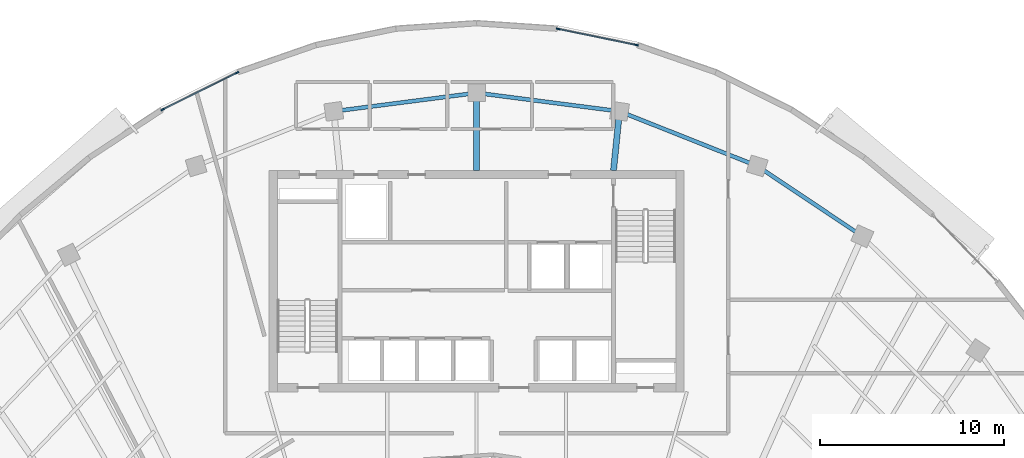
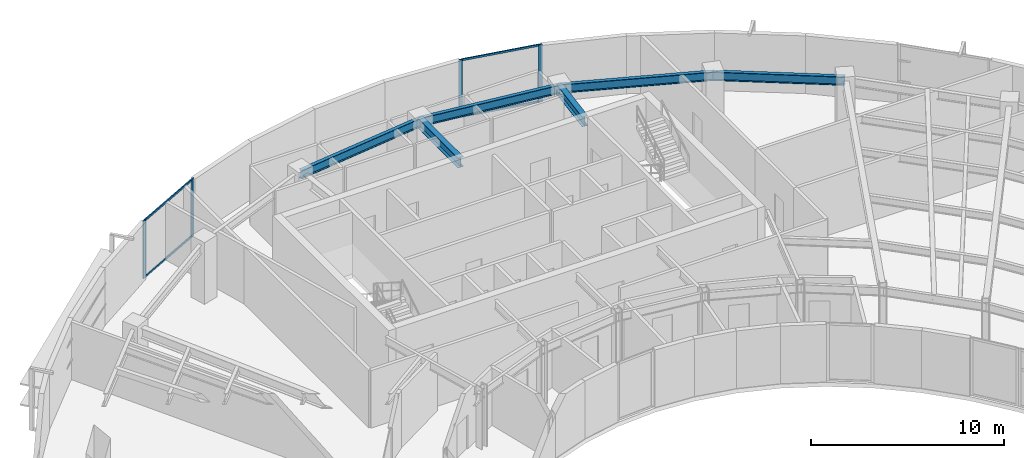
# One storey, part 5 of 13: 8 members, 6 beams, 2 elements without a shape of their own.
"""IFC4 building model written with IfcOpenShell, lengths in metres."""

from ifc_helpers import new_model, si_unit, direction, frame, origin, origin_2d, place, context, subcontext, project, spatial, rectangle, i_section, extrude, source, transform, mapped, material, layer, layer_set, material_profile, profile_set, type_object, element, aggregate, save


model = new_model("IFC4")

# Units and contexts
model_context = context("Model", 3, precision=1e-05, world=origin(), true_north=direction((0.0, 1.0)))
body_context = subcontext(model_context, "Body", "Model", "MODEL_VIEW")
ifc_project = project(units=[si_unit("LENGTHUNIT", "METRE"), si_unit("AREAUNIT", "SQUARE_METRE"), si_unit("VOLUMEUNIT", "CUBIC_METRE"), si_unit("PLANEANGLEUNIT", "RADIAN"), si_unit("MASSUNIT", "GRAM", prefix="KILO")], contexts=[model_context])

# Site, building, storey
site_placement = place(None, origin())
site = spatial("IfcSite", under=ifc_project, at=site_placement, CompositionType="ELEMENT")
building_placement = place(site_placement, origin())
building = spatial("IfcBuilding", under=site, at=building_placement, Name="Breltana Convention Tower", CompositionType="ELEMENT")
storey_placement = place(building_placement, frame((0.0, 0.0, 223.5)))
storey = spatial("IfcBuildingStorey", under=building, at=storey_placement, Name="L54", CompositionType="ELEMENT", Elevation=223.5)

# Beams
ifc_material_1 = material(Name="Steel ASTM A992 Grade 50", Category="steel")
ifc_material_profile_1 = material_profile(ifc_material_1, i_section(OverallWidth=0.326904296875, OverallDepth=0.6220703125, WebThickness=0.015380859375, FlangeThickness=0.0244140625, at=origin_2d()), Name="W24X131")
ifc_profile_set_1 = profile_set([ifc_material_profile_1], Name="Steel ASTM A992 Grade 50")
beam_type_1 = type_object("IfcBeamType", Name="BM-RG-W24X131", PredefinedType="USERDEFINED", material=ifc_profile_set_1)
shared_shape_1 = source(origin(), body_context, "Body", "SweptSolid", [
    extrude(i_section(OverallWidth=0.326904296875, OverallDepth=0.6220703125, WebThickness=0.015380859375, FlangeThickness=0.0244140625, at=origin_2d()), origin(), (0.0, 0.0, 1.0), 3.220947265625),
])
beam_1_placement = place(storey_placement, frame((55.419921875, 72.199951171875, 3.3291015625), z_axis=(0.101492254858, 0.994836329355, 0.0), x_axis=(-0.994836329355, 0.101492254858, 0.0)))
element("IfcBeam", 1, at=beam_1_placement, inside=storey, type_object=beam_type_1, Name="L54 North Core Radial Girder R07", ObjectType="GIRDER", PredefinedType="USERDEFINED", context=body_context, shape_type="MappedRepresentation", body=[
    mapped(shared_shape_1, transform((0.0, 0.0, 0.0), scale=1.0)),
])
shared_shape_2 = source(origin(), body_context, "Body", "SweptSolid", [
    extrude(i_section(OverallWidth=0.326904296875, OverallDepth=0.6220703125, WebThickness=0.015380859375, FlangeThickness=0.0244140625, at=origin_2d()), origin(), (0.0, 0.0, 1.0), 4.2041015625),
])
beam_2_placement = place(storey_placement, frame((48.0, 72.199951171875, 3.3291015625), z_axis=(0.0, 1.0, 0.0), x_axis=(-1.0, 0.0, 0.0)))
element("IfcBeam", 2, at=beam_2_placement, inside=storey, type_object=beam_type_1, Name="L54 North Core Radial Girder R06", ObjectType="GIRDER", PredefinedType="USERDEFINED", context=body_context, shape_type="MappedRepresentation", body=[
    mapped(shared_shape_2, transform((0.0, 0.0, 0.0), scale=1.0)),
])
ifc_material_profile_2 = material_profile(ifc_material_1, i_section(OverallWidth=0.214111328125, OverallDepth=0.549072265625, WebThickness=0.0146484375, FlangeThickness=0.023681640625, at=origin_2d()), Name="W21X93")
ifc_profile_set_2 = profile_set([ifc_material_profile_2], Name="Steel ASTM A992 Grade 50")
beam_type_2 = type_object("IfcBeamType", Name="BM-SP-W21X93", PredefinedType="SPANDREL", material=ifc_profile_set_2)
shared_shape_3 = source(origin(), body_context, "Body", "SweptSolid", [
    extrude(i_section(OverallWidth=0.214111328125, OverallDepth=0.549072265625, WebThickness=0.0146484375, FlangeThickness=0.023681640625, at=origin_2d()), origin(), (0.0, 0.0, 1.0), 8.028564453125),
])
beam_3_placement = place(storey_placement, frame((55.746826171875, 75.404296875, 3.365478515625), z_axis=(0.929459100394, -0.368925169507, 0.0), x_axis=(0.368925169507, 0.929459100394, 0.0)))
element("IfcBeam", 3, at=beam_3_placement, inside=storey, type_object=beam_type_2, Name="L54 Outer Spandrel Beam 07", PredefinedType="SPANDREL", context=body_context, shape_type="MappedRepresentation", body=[
    mapped(shared_shape_3, transform((0.0, 0.0, 0.0), scale=1.0)),
])
shared_shape_4 = source(origin(), body_context, "Body", "SweptSolid", [
    extrude(i_section(OverallWidth=0.214111328125, OverallDepth=0.549072265625, WebThickness=0.0146484375, FlangeThickness=0.023681640625, at=origin_2d()), origin(), (0.0, 0.0, 1.0), 7.81103515625),
])
for number, where, z_axis, x_axis, name in (
    (4, (40.253173828125, 75.404296875, 3.365478515625), (0.991775179127, 0.127992164083, 0.0), (-0.127992164083, 0.991775179127, 0.0), "L54 Outer Spandrel Beam 05"),
    (5, (48.0, 76.404052734375, 3.365478515625), (0.991775179127, -0.127992164083, 0.0), (0.127992164083, 0.991775179127, 0.0), "L54 Outer Spandrel Beam 06"),
):
    element("IfcBeam", number, at=place(storey_placement, frame(where, z_axis=z_axis, x_axis=x_axis)), inside=storey, type_object=beam_type_2, Name=name, PredefinedType="SPANDREL", context=body_context, shape_type="MappedRepresentation", body=[
        mapped(shared_shape_4, transform((0.0, 0.0, 0.0), scale=1.0)),
    ])
shared_shape_5 = source(origin(), body_context, "Body", "SweptSolid", [
    extrude(i_section(OverallWidth=0.214111328125, OverallDepth=0.549072265625, WebThickness=0.0146484375, FlangeThickness=0.023681640625, at=origin_2d()), origin(), (0.0, 0.0, 1.0), 6.856689453125),
])
beam_4_placement = place(storey_placement, frame((63.208984375, 72.4423828125, 3.365478515625), z_axis=(0.83150210718, -0.55552159792, 0.0), x_axis=(0.55552159792, 0.83150210718, 0.0)))
element("IfcBeam", 6, at=beam_4_placement, inside=storey, type_object=beam_type_2, Name="L54 Outer Spandrel Beam 08", PredefinedType="SPANDREL", context=body_context, shape_type="MappedRepresentation", body=[
    mapped(shared_shape_5, transform((0.0, 0.0, 0.0), scale=1.0)),
])

# Curtain wall, members
ifc_material_2 = material(Name="Aluminium Anodised Bronze Frame", Category="aluminium")
ifc_layer = layer(ifc_material_2, 0.219970703125, Name="Aluminium Anodised Bronze Frame")
ifc_layer_set = layer_set([ifc_layer], Name="Aluminium Anodised Bronze Frame")
curtain_wall_type = type_object("IfcCurtainWallType", Name="CW-SYS-4", PredefinedType="NOTDEFINED", material=ifc_layer_set)
curtain_wall_1_placement = place(storey_placement, origin())
curtain_wall_1 = element("IfcCurtainWall", 7, at=curtain_wall_1_placement, inside=storey, type_object=curtain_wall_type, Name="L54 outer double-skin inner glazing 2", PredefinedType="NOTDEFINED")
ifc_material_3 = material(Name="Aluminium Anodised Bronze", Category="aluminium")
ifc_material_profile_3 = material_profile(ifc_material_3, rectangle(XDim=0.080078125, YDim=0.199951171875, at=origin_2d()), Name="CWM-80X200")
ifc_profile_set_3 = profile_set([ifc_material_profile_3], Name="Aluminium Anodised Bronze")
member_type_1 = type_object("IfcMemberType", Name="CWM-200", PredefinedType="MULLION", material=ifc_profile_set_3)
shared_shape_6 = source(origin(), body_context, "Body", "SweptSolid", [
    extrude(rectangle(XDim=0.080078125, YDim=0.199951171875, at=origin_2d()), origin(), (0.0, 0.0, 1.0), 3.639892578125),
])
member_1_placement = place(storey_placement, frame((30.96923828125, 75.499267578125, 0.0), z_axis=(0.0, 0.0, 1.0), x_axis=(-0.444108875003, 0.895972827235, 0.0)))
member_1 = element("IfcMember", 8, at=member_1_placement, type_object=member_type_1, Name="CW-04 mullion 1", PredefinedType="MULLION", context=body_context, shape_type="MappedRepresentation", body=[
    mapped(shared_shape_6, transform((0.0, 0.0, 0.0), scale=1.0)),
])
member_2_placement = place(storey_placement, frame((35.0107421875, 77.50244140625, 0.0), z_axis=(0.0, 0.0, 1.0), x_axis=(-0.444108875003, 0.895972827235, 0.0)))
member_2 = element("IfcMember", 9, at=member_2_placement, type_object=member_type_1, Name="CW-04 mullion 2", PredefinedType="MULLION", context=body_context, shape_type="MappedRepresentation", body=[
    mapped(shared_shape_6, transform((0.0, 0.0, 0.0), scale=1.0)),
])

curtain_wall_2_placement = place(storey_placement, origin())
curtain_wall_2 = element("IfcCurtainWall", 10, at=curtain_wall_2_placement, inside=storey, type_object=curtain_wall_type, Name="L54 outer double-skin inner glazing 3", PredefinedType="NOTDEFINED")
member_3_placement = place(storey_placement, frame((52.415771484375, 79.87158203125, 0.0), z_axis=(0.0, 0.0, 1.0), x_axis=(0.200879604523, 0.979615937236, 0.0)))
member_3 = element("IfcMember", 11, at=member_3_placement, type_object=member_type_1, Name="CW-04 mullion 1", PredefinedType="MULLION", context=body_context, shape_type="MappedRepresentation", body=[
    mapped(shared_shape_6, transform((0.0, 0.0, 0.0), scale=1.0)),
])
member_4_placement = place(storey_placement, frame((56.669921875, 78.9990234375, 0.0), z_axis=(0.0, 0.0, 1.0), x_axis=(0.200879604523, 0.979615937236, 0.0)))
member_4 = element("IfcMember", 12, at=member_4_placement, type_object=member_type_1, Name="CW-04 mullion 2", PredefinedType="MULLION", context=body_context, shape_type="MappedRepresentation", body=[
    mapped(shared_shape_6, transform((0.0, 0.0, 0.0), scale=1.0)),
])
ifc_material_profile_4 = material_profile(ifc_material_3, rectangle(XDim=0.070068359375, YDim=0.1201171875, at=origin_2d()), Name="CWT-70X120")
ifc_profile_set_4 = profile_set([ifc_material_profile_4], Name="Aluminium Anodised Bronze")
member_type_2 = type_object("IfcMemberType", Name="CWT-120", PredefinedType="USERDEFINED", material=ifc_profile_set_4)
shared_shape_7 = source(origin(), body_context, "Body", "SweptSolid", [
    extrude(rectangle(XDim=0.070068359375, YDim=0.1201171875, at=origin_2d()), origin(), (0.0, 0.0, 1.0), 4.262451171875),
])
member_5_placement = place(storey_placement, frame((52.455078125, 79.863525390625, 0.034912109375), z_axis=(0.97960616963, -0.200927231659, 0.0), x_axis=(0.200927231659, 0.97960616963, 0.0)))
member_5 = element("IfcMember", 13, at=member_5_placement, type_object=member_type_2, Name="CW-04 transom 1.1", ObjectType="TRANSOM", PredefinedType="USERDEFINED", context=body_context, shape_type="MappedRepresentation", body=[
    mapped(shared_shape_7, transform((0.0, 0.0, 0.0), scale=1.0)),
])
member_6_placement = place(storey_placement, frame((52.455078125, 79.863525390625, 3.60498046875), z_axis=(0.97960616963, -0.200927231659, 0.0), x_axis=(0.200927231659, 0.97960616963, 0.0)))
member_6 = element("IfcMember", 14, at=member_6_placement, type_object=member_type_2, Name="CW-04 transom 1.2", ObjectType="TRANSOM", PredefinedType="USERDEFINED", context=body_context, shape_type="MappedRepresentation", body=[
    mapped(shared_shape_7, transform((0.0, 0.0, 0.0), scale=1.0)),
])
aggregate(curtain_wall_2, [member_3, member_4, member_5, member_6])

# Member
shared_shape_8 = source(origin(), body_context, "Body", "SweptSolid", [
    extrude(rectangle(XDim=0.070068359375, YDim=0.1201171875, at=origin_2d()), origin(), (0.0, 0.0, 1.0), 4.4306640625),
])
member_7_placement = place(storey_placement, frame((31.005126953125, 75.51708984375, 0.034912109375), z_axis=(0.895964734866, 0.444125200678, 0.0), x_axis=(-0.444125200678, 0.895964734866, 0.0)))
member_7 = element("IfcMember", 15, at=member_7_placement, type_object=member_type_2, Name="CW-04 transom 1.1", ObjectType="TRANSOM", PredefinedType="USERDEFINED", context=body_context, shape_type="MappedRepresentation", body=[
    mapped(shared_shape_8, transform((0.0, 0.0, 0.0), scale=1.0)),
])

member_8_placement = place(storey_placement, frame((31.005126953125, 75.51708984375, 3.60498046875), z_axis=(0.895964734866, 0.444125200678, 0.0), x_axis=(-0.444125200678, 0.895964734866, 0.0)))
member_8 = element("IfcMember", 16, at=member_8_placement, type_object=member_type_2, Name="CW-04 transom 1.2", ObjectType="TRANSOM", PredefinedType="USERDEFINED", context=body_context, shape_type="MappedRepresentation", body=[
    mapped(shared_shape_8, transform((0.0, 0.0, 0.0), scale=1.0)),
])

aggregate(curtain_wall_1, [member_1, member_2, member_7, member_8])

save(model, "model.ifc")
